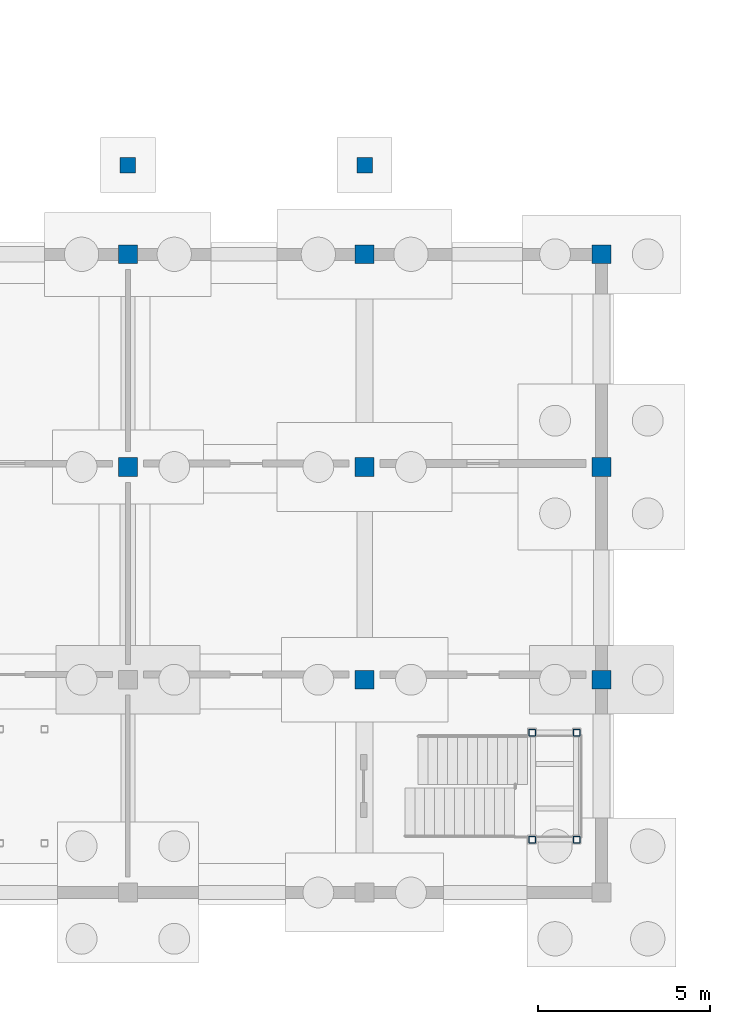
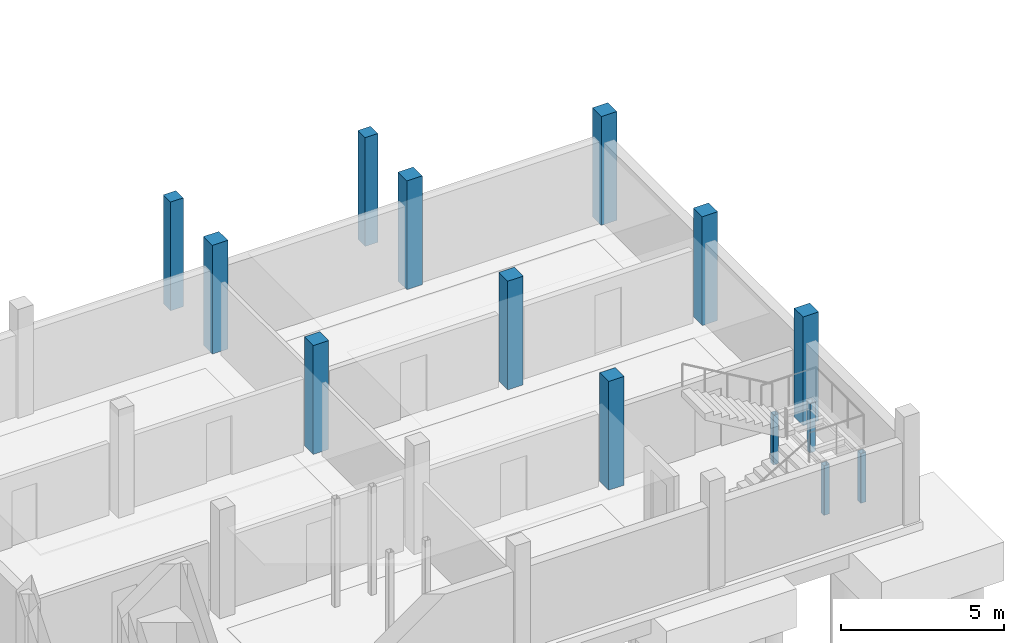
# One storey, part 27 of 58: 14 columns.
"""IFC4 building model written with IfcOpenShell, lengths in metres."""

from ifc_helpers import new_model, si_unit, direction, frame, origin, origin_2d, place, context, subcontext, project, spatial, rectangle, hollow_rectangle, extrude, material, material_profile, profile_set, type_object, element, save


model = new_model("IFC4")

# Units and contexts
model_context = context("Model", 3, precision=1e-05, world=origin(), true_north=direction((0.0, 1.0)))
body_context = subcontext(model_context, "Body", "Model", "MODEL_VIEW")
ifc_project = project(units=[si_unit("LENGTHUNIT", "METRE"), si_unit("AREAUNIT", "SQUARE_METRE"), si_unit("VOLUMEUNIT", "CUBIC_METRE"), si_unit("PLANEANGLEUNIT", "RADIAN"), si_unit("MASSUNIT", "GRAM", prefix="KILO")], contexts=[model_context])

# Site, building, storey
site_placement = place(None, origin())
site = spatial("IfcSite", under=ifc_project, at=site_placement, CompositionType="ELEMENT")
building_placement = place(site_placement, origin())
building = spatial("IfcBuilding", under=site, at=building_placement, Name="Caldaven Crescent School", CompositionType="ELEMENT")
storey_placement = place(building_placement, frame((0.0, 0.0, -4.080078125)))
storey = spatial("IfcBuildingStorey", under=building, at=storey_placement, Name="B1", CompositionType="ELEMENT", Elevation=-4.080078125)

# Columns
ifc_material_1 = material(Name="Steel ASTM A572 Grade 50", Category="steel")
ifc_material_profile_1 = material_profile(ifc_material_1, hollow_rectangle(XDim=0.199951171875, YDim=0.199951171875, WallThickness=0.010009765625, InnerFilletRadius=0.010009765625, OuterFilletRadius=0.02001953125, at=origin_2d()), Name="HSS 200x200x10")
ifc_profile_set_1 = profile_set([ifc_material_profile_1], Name="Steel ASTM A572 Grade 50")
column_type_1 = type_object("IfcColumnType", Name="COL-HS20", PredefinedType="COLUMN", material=ifc_profile_set_1)
for number, where, z_axis, x_axis, name in (
    (1, (148.47998046875, 5.739990234375, 0.0), (0.0, 0.0, 1.0), (1.0, 0.0, 0.0), "COL-STPOST-STB4-B1-A"),
    (2, (148.47998046875, 8.860107421875, 0.0), (0.0, 0.0, 1.0), (1.0, 0.0, 0.0), "COL-STPOST-STB4-B1-B"),
    (3, (149.780029296875, 5.739990234375, 0.0), (0.0, 0.0, 1.0), (1.0, 0.0, 0.0), "COL-STPOST-STB4-B1-C"),
    (4, (149.780029296875, 8.860107421875, 0.0), (0.0, 0.0, 1.0), (1.0, 0.0, 0.0), "COL-STPOST-STB4-B1-D"),
):
    element("IfcColumn", number, at=place(storey_placement, frame(where, z_axis=z_axis, x_axis=x_axis)), inside=storey, type_object=column_type_1, Name=name, PredefinedType="COLUMN", context=body_context, shape_type="SweptSolid", body=[
        extrude(hollow_rectangle(XDim=0.199951171875, YDim=0.199951171875, WallThickness=0.010009765625, InnerFilletRadius=0.010009765625, OuterFilletRadius=0.02001953125, at=origin_2d()), origin(), (0.0, 0.0, 1.0), 1.860107421875),
    ])
ifc_material_2 = material(Name="Concrete C35/45", Category="concrete")
ifc_material_profile_2 = material_profile(ifc_material_2, rectangle(XDim=0.449951171875, YDim=0.449951171875, at=origin_2d()), Name="RC 450x450")
ifc_profile_set_2 = profile_set([ifc_material_profile_2], Name="Concrete C35/45")
column_type_2 = type_object("IfcColumnType", Name="COL-RC45", PredefinedType="COLUMN", material=ifc_profile_set_2)
for number, where, z_axis, x_axis, name in (
    (5, (136.699951171875, 25.39990234375, 0.0), (0.0, 0.0, 1.0), (1.0, 0.0, 0.0), "COL-CAN-1-W-B1"),
    (6, (143.60009765625, 25.39990234375, 0.0), (0.0, 0.0, 1.0), (1.0, 0.0, 0.0), "COL-CAN-1-E-B1"),
):
    element("IfcColumn", number, at=place(storey_placement, frame(where, z_axis=z_axis, x_axis=x_axis)), inside=storey, type_object=column_type_2, Name=name, PredefinedType="COLUMN", context=body_context, shape_type="SweptSolid", body=[
        extrude(rectangle(XDim=0.449951171875, YDim=0.449951171875, at=origin_2d()), origin(), (0.0, 0.0, 1.0), 4.080078125),
    ])
ifc_material_profile_3 = material_profile(ifc_material_2, rectangle(XDim=0.550048828125, YDim=0.550048828125, at=origin_2d()), Name="RC 550x550")
ifc_profile_set_3 = profile_set([ifc_material_profile_3], Name="Concrete C35/45")
column_type_3 = type_object("IfcColumnType", Name="COL-RC55", PredefinedType="COLUMN", material=ifc_profile_set_3)
for number, where, z_axis, x_axis, name in (
    (7, (136.699951171875, 16.60009765625, 0.0), (0.0, 0.0, 1.0), (1.0, 0.0, 0.0), "COL-V3-B1-2-2"),
    (8, (136.699951171875, 22.800048828125, 0.0), (0.0, 0.0, 1.0), (1.0, 0.0, 0.0), "COL-V3-B1-2-3"),
    (9, (143.60009765625, 10.39990234375, 0.0), (0.0, 0.0, 1.0), (1.0, 0.0, 0.0), "COL-V3-B1-3-1"),
    (10, (143.60009765625, 16.60009765625, 0.0), (0.0, 0.0, 1.0), (1.0, 0.0, 0.0), "COL-V3-B1-3-2"),
    (11, (143.60009765625, 22.800048828125, 0.0), (0.0, 0.0, 1.0), (1.0, 0.0, 0.0), "COL-V3-B1-3-3"),
    (12, (150.5, 10.39990234375, 0.0), (0.0, 0.0, 1.0), (1.0, 0.0, 0.0), "COL-V3-B1-4-1"),
    (13, (150.5, 16.60009765625, 0.0), (0.0, 0.0, 1.0), (1.0, 0.0, 0.0), "COL-V3-B1-4-2"),
    (14, (150.5, 22.800048828125, 0.0), (0.0, 0.0, 1.0), (1.0, 0.0, 0.0), "COL-V3-B1-4-3"),
):
    element("IfcColumn", number, at=place(storey_placement, frame(where, z_axis=z_axis, x_axis=x_axis)), inside=storey, type_object=column_type_3, Name=name, PredefinedType="COLUMN", context=body_context, shape_type="SweptSolid", body=[
        extrude(rectangle(XDim=0.550048828125, YDim=0.550048828125, at=origin_2d()), origin(), (0.0, 0.0, 1.0), 4.080078125),
    ])

save(model, "model.ifc")
